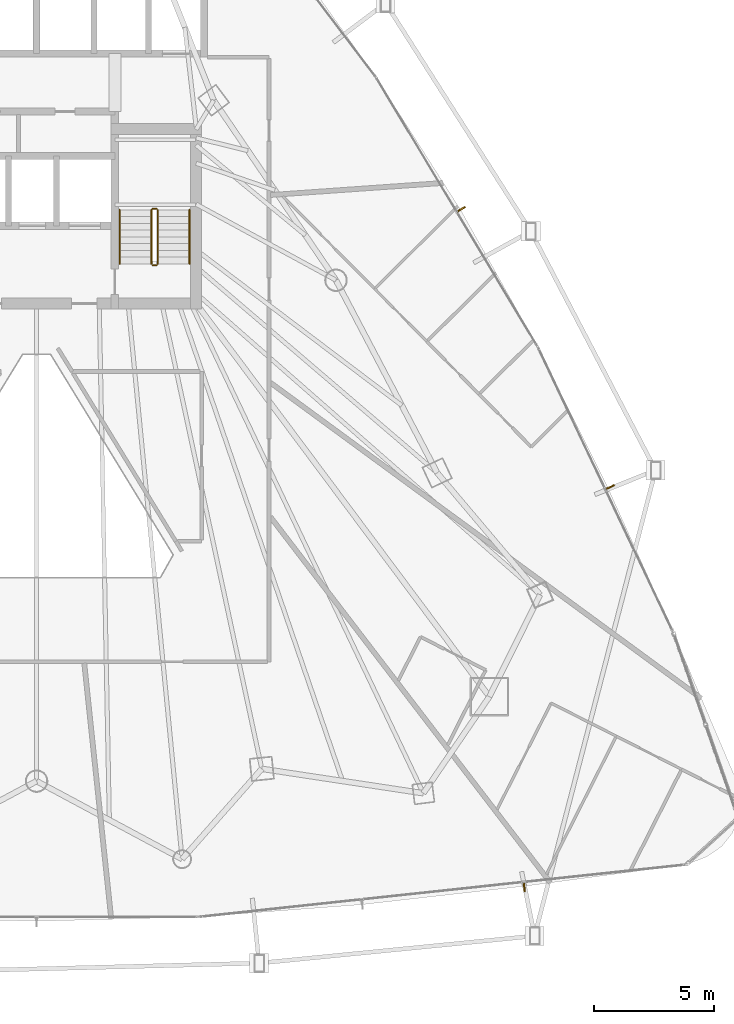
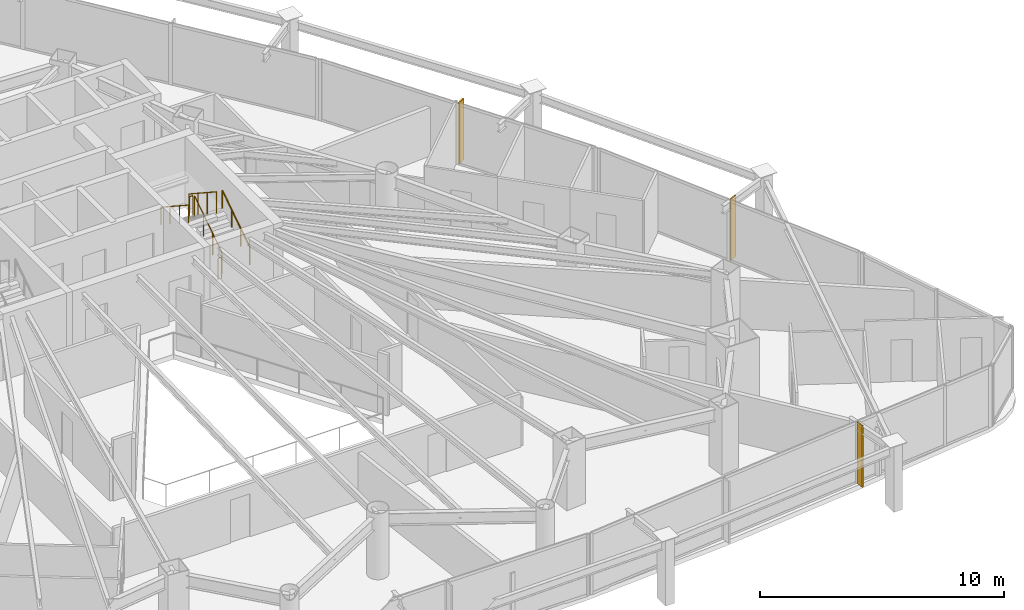
# One storey, part 34 of 35: 6 railings, 3 shading devices.
"""IFC4 building model written with IfcOpenShell, lengths in metres."""

from ifc_helpers import new_model, si_unit, direction, frame, origin, origin_2d, place, context, subcontext, project, spatial, rectangle, circle, extrude, material, layer, layer_set, type_object, element, save


model = new_model("IFC4")

# Units and contexts
model_context = context("Model", 3, precision=1e-05, world=origin(), true_north=direction((0.0, 1.0)))
body_context = subcontext(model_context, "Body", "Model", "MODEL_VIEW")
ifc_project = project(units=[si_unit("LENGTHUNIT", "METRE"), si_unit("AREAUNIT", "SQUARE_METRE"), si_unit("VOLUMEUNIT", "CUBIC_METRE"), si_unit("PLANEANGLEUNIT", "RADIAN"), si_unit("MASSUNIT", "GRAM", prefix="KILO")], contexts=[model_context])

# Site, building, storey
site_placement = place(None, origin())
site = spatial("IfcSite", under=ifc_project, at=site_placement, CompositionType="ELEMENT")
building_placement = place(site_placement, origin())
building = spatial("IfcBuilding", under=site, at=building_placement, Name="Orvanel Arch Residences", CompositionType="ELEMENT")
storey_placement = place(building_placement, frame((0.0, 0.0, 30.199951171875)))
storey = spatial("IfcBuildingStorey", under=building, at=storey_placement, Name="L07", CompositionType="ELEMENT", Elevation=30.199951171875)

# Shading devices
ifc_material_1 = material(Name="Bronze-anodised aluminium AA6063-T6", Category="aluminium")
ifc_layer = layer(ifc_material_1, 0.06005859375)
ifc_layer_set = layer_set([ifc_layer], Name="Bronze-anodised aluminium AA6063-T6")
shading_device_type = type_object("IfcShadingDeviceType", Name="FIN-BRZ-380", PredefinedType="USERDEFINED", material=ifc_layer_set)
for number, where, z_axis, x_axis, name in (
    (1, (53.2490234375, 2.43505859375, 0.0), (0.0, 0.0, 1.0), (0.106264071336, -0.994337944133, 0.0), "L07 Anodised Bronze Mullion FIN 02"),
    (2, (56.81494140625, 19.052978515625, 0.0), (0.0, 0.0, 1.0), (0.903335292863, 0.428935133403, 0.0), "L07 Anodised Bronze Mullion FIN 01"),
    (3, (50.635986328125, 30.591064453125, 0.0), (0.0, 0.0, 1.0), (0.857167300702, 0.51503807491, 0.0), "L07 Anodised Bronze Mullion FIN 01"),
):
    element("IfcShadingDevice", number, at=place(storey_placement, frame(where, z_axis=z_axis, x_axis=x_axis)), inside=storey, type_object=shading_device_type, Name=name, ObjectType="FIN", PredefinedType="USERDEFINED", context=body_context, shape_type="SweptSolid", body=[
        extrude(rectangle(XDim=0.3798828125, YDim=0.06005859375, at=origin_2d()), origin(), (0.0, 0.0, 1.0), 3.06005859375),
    ])

# Railings
ifc_material_2 = material(Name="Structural steel AS/NZS 1163 C350L0 (Grade 350)", Category="steel")
railing_type_1 = type_object("IfcRailingType", Name="RL-STAIR-GUARD", PredefinedType="GUARDRAIL", material=ifc_material_2)
railing_1_placement = place(storey_placement, frame((38.030029296875, 28.320068359375, 0.183349609375)))
element("IfcRailing", 4, at=railing_1_placement, inside=storey, type_object=railing_type_1, Name="L07 ST-2 stair guard 1", PredefinedType="GUARDRAIL", context=body_context, shape_type="SweptSolid", body=[
    extrude(circle(Radius=0.02392578125, at=origin_2d()), frame((0.0, 0.001220703125, 1.076904296875), z_axis=(0.0, 0.836595146698, 0.547821650285), x_axis=(-1.0, 0.0, 0.0)), (0.0, 0.0, 1.0), 2.674560546875),
    extrude(circle(Radius=0.02099609375, at=origin_2d()), origin(), (0.0, 0.0, 1.0), 1.050048828125),
    extrude(circle(Radius=0.02099609375, at=origin_2d()), frame((0.0, 0.74658203125, 0.489013671875)), (0.0, 0.0, 1.0), 1.050048828125),
    extrude(circle(Radius=0.02099609375, at=origin_2d()), frame((0.0, 1.493408203125, 0.977783203125)), (0.0, 0.0, 1.0), 1.050048828125),
    extrude(circle(Radius=0.02099609375, at=origin_2d()), frame((0.0, 2.239990234375, 1.466796875)), (0.0, 0.0, 1.0), 1.050048828125),
])
railing_2_placement = place(storey_placement, frame((37.97998046875, 30.610107421875, 1.650146484375)))
element("IfcRailing", 5, at=railing_2_placement, inside=storey, type_object=railing_type_1, Name="L07 ST-2 stair guard 2", PredefinedType="GUARDRAIL", context=body_context, shape_type="SweptSolid", body=[
    extrude(circle(Radius=0.02392578125, at=origin_2d()), frame((-0.00146484375, 0.0, 1.076171875), z_axis=(-1.0, 0.0, 0.0), x_axis=(0.0, -1.0, 0.0)), (0.0, 0.0, 1.0), 0.156982421875),
    extrude(circle(Radius=0.02099609375, at=origin_2d()), origin(), (0.0, 0.0, 1.0), 1.050048828125),
    extrude(circle(Radius=0.02099609375, at=origin_2d()), frame((-0.159912109375, 0.0, 0.0)), (0.0, 0.0, 1.0), 1.050048828125),
])
railing_3_placement = place(storey_placement, frame((37.77001953125, 30.56005859375, 1.83349609375)))
element("IfcRailing", 6, at=railing_3_placement, inside=storey, type_object=railing_type_1, Name="L07 ST-2 stair guard 3", PredefinedType="GUARDRAIL", context=body_context, shape_type="SweptSolid", body=[
    extrude(circle(Radius=0.02392578125, at=origin_2d()), frame((0.0, -0.001220703125, 1.076904296875), z_axis=(0.0, -0.836636935527, 0.547757827979), x_axis=(1.0, 0.0, 0.0)), (0.0, 0.0, 1.0), 2.67431640625),
    extrude(circle(Radius=0.02099609375, at=origin_2d()), origin(), (0.0, 0.0, 1.0), 1.050048828125),
    extrude(circle(Radius=0.02099609375, at=origin_2d()), frame((0.0, -0.74658203125, 0.48876953125)), (0.0, 0.0, 1.0), 1.050048828125),
    extrude(circle(Radius=0.02099609375, at=origin_2d()), frame((0.0, -1.493408203125, 0.977783203125)), (0.0, 0.0, 1.0), 1.050048828125),
    extrude(circle(Radius=0.02099609375, at=origin_2d()), frame((0.0, -2.239990234375, 1.466552734375)), (0.0, 0.0, 1.0), 1.050048828125),
])
railing_4_placement = place(storey_placement, frame((37.97998046875, 28.27001953125, 0.0)))
element("IfcRailing", 7, at=railing_4_placement, inside=storey, type_object=railing_type_1, Name="L07 ST-2 stair guard 4", PredefinedType="GUARDRAIL", context=body_context, shape_type="SweptSolid", body=[
    extrude(circle(Radius=0.02392578125, at=origin_2d()), frame((-0.00146484375, 0.0, 1.076171875), z_axis=(-1.0, 0.0, 0.0), x_axis=(0.0, -1.0, 0.0)), (0.0, 0.0, 1.0), 0.156982421875),
    extrude(circle(Radius=0.02099609375, at=origin_2d()), origin(), (0.0, 0.0, 1.0), 1.050048828125),
    extrude(circle(Radius=0.02099609375, at=origin_2d()), frame((-0.159912109375, 0.0, 0.0)), (0.0, 0.0, 1.0), 1.050048828125),
])
railing_type_2 = type_object("IfcRailingType", Name="RL-STAIR-HAND", PredefinedType="HANDRAIL", material=ifc_material_2)
railing_5_placement = place(storey_placement, frame((39.35009765625, 28.320068359375, 0.183349609375)))
element("IfcRailing", 8, at=railing_5_placement, inside=storey, type_object=railing_type_2, Name="L07 ST-2 stair handrail 1", PredefinedType="HANDRAIL", context=body_context, shape_type="SweptSolid", body=[
    extrude(circle(Radius=0.02392578125, at=origin_2d()), frame((0.0, 0.001220703125, 0.876708984375), z_axis=(0.0, 0.836595146698, 0.547821650285), x_axis=(-1.0, 0.0, 0.0)), (0.0, 0.0, 1.0), 2.674560546875),
    extrude(circle(Radius=0.02099609375, at=origin_2d()), origin(), (0.0, 0.0, 1.0), 0.849853515625),
    extrude(circle(Radius=0.02099609375, at=origin_2d()), frame((0.0, 0.74658203125, 0.489013671875)), (0.0, 0.0, 1.0), 0.849853515625),
    extrude(circle(Radius=0.02099609375, at=origin_2d()), frame((0.0, 1.493408203125, 0.977783203125)), (0.0, 0.0, 1.0), 0.849853515625),
    extrude(circle(Radius=0.02099609375, at=origin_2d()), frame((0.0, 2.239990234375, 1.466796875)), (0.0, 0.0, 1.0), 0.849853515625),
])
railing_6_placement = place(storey_placement, frame((36.449951171875, 30.56005859375, 1.83349609375)))
element("IfcRailing", 9, at=railing_6_placement, inside=storey, type_object=railing_type_2, Name="L07 ST-2 stair handrail 2", PredefinedType="HANDRAIL", context=body_context, shape_type="SweptSolid", body=[
    extrude(circle(Radius=0.02392578125, at=origin_2d()), frame((0.0, -0.001220703125, 0.876708984375), z_axis=(0.0, -0.836636935527, 0.547757827979), x_axis=(1.0, 0.0, 0.0)), (0.0, 0.0, 1.0), 2.67431640625),
    extrude(circle(Radius=0.02099609375, at=origin_2d()), origin(), (0.0, 0.0, 1.0), 0.849853515625),
    extrude(circle(Radius=0.02099609375, at=origin_2d()), frame((0.0, -0.74658203125, 0.48876953125)), (0.0, 0.0, 1.0), 0.849853515625),
    extrude(circle(Radius=0.02099609375, at=origin_2d()), frame((0.0, -1.493408203125, 0.977783203125)), (0.0, 0.0, 1.0), 0.849853515625),
    extrude(circle(Radius=0.02099609375, at=origin_2d()), frame((0.0, -2.239990234375, 1.466552734375)), (0.0, 0.0, 1.0), 0.849853515625),
])

save(model, "model.ifc")
